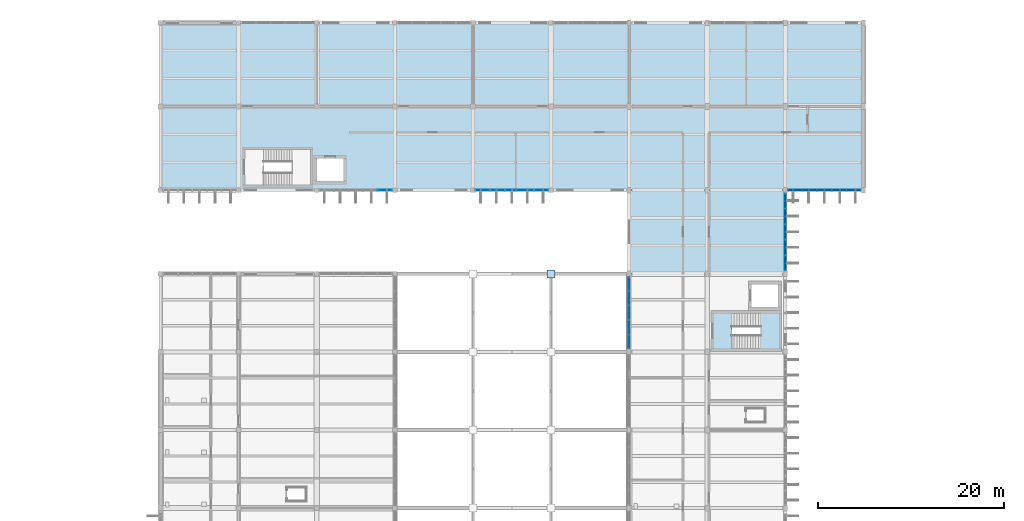
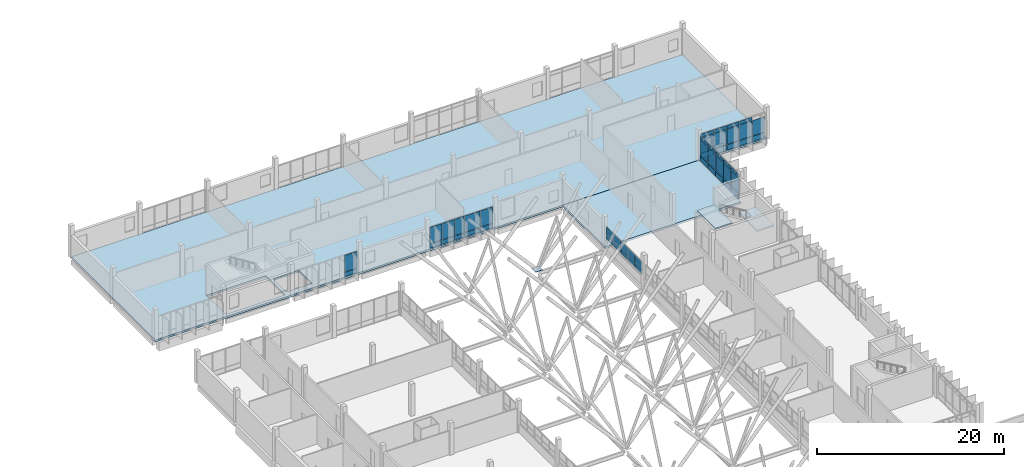
# One storey, part 78 of 107: 52 plates, 4 slabs, 2 openings, 6 elements without a shape of their own.
"""IFC4 building model written with IfcOpenShell, lengths in metres."""

import ifcopenshell
import ifcopenshell.guid

model = None  # the IFC model being written
_history = None  # IfcOwnerHistory: only IFC2X3 demands one
_inside = {}  # id of a spatial element -> (the spatial element, [elements in it])
_under = {}  # id of a project, library or spatial element -> (it, [spatial elements below it])
_declared = {}  # id of a project -> (the project, [libraries it declares])
_typed = {}  # id of a type object -> (the type object, [elements of that type])
_made_of = {}  # id of a material, layer set ... -> (it, [elements and type objects made of it])


def new_model(schema):
    """Start an empty IFC model of exactly this schema.

    Asked for "IFC4X3", IfcOpenShell would pick the latest addendum, in which some entities
    have other attributes; the version numbers below select the first issue.
    IFC2X3 requires an IfcOwnerHistory on every rooted entity: one is made here for all.
    """
    global model, _history
    if schema == "IFC4X3":
        model = ifcopenshell.file(schema_version=(4, 3, 0, 0))
    else:
        model = ifcopenshell.file(schema=schema)
    _inside.clear()
    _under.clear()
    _declared.clear()
    _typed.clear()
    _made_of.clear()
    _history = None
    if model.schema == "IFC2X3":
        org = make("IfcOrganization", Name="unknown")
        user = make(
            "IfcPersonAndOrganization",
            ThePerson=make("IfcPerson", FamilyName="unknown"),
            TheOrganization=org,
        )
        app = make(
            "IfcApplication",
            ApplicationDeveloper=org,
            Version="unknown",
            ApplicationFullName="unknown",
            ApplicationIdentifier="unknown",
        )
        _history = make(
            "IfcOwnerHistory",
            OwningUser=user,
            OwningApplication=app,
            ChangeAction="ADDED",
            CreationDate=0,
        )
    return model


def make(cls, **values):
    """One entity of the class cls with the attributes given. An attribute that is None is left unset."""
    return model.create_entity(
        cls, **{name: value for name, value in values.items() if value is not None}
    )


def rooted(cls, **values):
    """An entity with a GlobalId (a new one), such as an element, a storey or a relation."""
    return make(cls, GlobalId=ifcopenshell.guid.new(), OwnerHistory=_history, **values)


def si_unit(unit_type, name, prefix=None):
    """IfcSIUnit, for example si_unit("LENGTHUNIT", "METRE", prefix="MILLI")."""
    return make("IfcSIUnit", UnitType=unit_type, Prefix=prefix, Name=name)


def assignment(units):
    """IfcUnitAssignment: the units of a project."""
    return None if units is None else make("IfcUnitAssignment", Units=units)


def point(xyz):
    """IfcCartesianPoint."""
    return None if xyz is None else make("IfcCartesianPoint", Coordinates=xyz)


def direction(xyz):
    """IfcDirection."""
    return None if xyz is None else make("IfcDirection", DirectionRatios=xyz)


def frame(location, z_axis=None, x_axis=None):
    """IfcAxis2Placement3D, a coordinate frame: its origin and axes. An axis left out is left unset."""
    return make(
        "IfcAxis2Placement3D",
        Location=point(location),
        Axis=direction(z_axis),
        RefDirection=direction(x_axis),
    )


def frame_2d(location, x_axis=None):
    """IfcAxis2Placement2D, a coordinate frame in the plane: its origin and x axis."""
    return make(
        "IfcAxis2Placement2D", Location=point(location), RefDirection=direction(x_axis)
    )


def origin():
    """The frame at (0, 0, 0) with its axes left unset."""
    return frame((0.0, 0.0, 0.0))


def origin_2d():
    """The frame at (0, 0) in the plane with its x axis left unset."""
    return frame_2d((0.0, 0.0))


def place(relative_to, where):
    """IfcLocalPlacement: puts the frame where relative to a parent placement (None: the world)."""
    return make(
        "IfcLocalPlacement", PlacementRelTo=relative_to, RelativePlacement=where
    )


def context(
    kind, dimensions, precision=None, world=None, true_north=None, identifier=None
):
    """IfcGeometricRepresentationContext, for example the 3D "Model" context."""
    return make(
        "IfcGeometricRepresentationContext",
        ContextIdentifier=identifier,
        ContextType=kind,
        CoordinateSpaceDimension=dimensions,
        Precision=precision,
        WorldCoordinateSystem=world,
        TrueNorth=true_north,
    )


def subcontext(parent, identifier, kind, view, scale=None):
    """IfcGeometricRepresentationSubContext, for example "Body" below "Model"."""
    return make(
        "IfcGeometricRepresentationSubContext",
        ContextIdentifier=identifier,
        ContextType=kind,
        ParentContext=parent,
        TargetScale=scale,
        TargetView=view,
    )


def project(units=None, contexts=None):
    """IfcProject with its units and contexts."""
    return rooted(
        "IfcProject",
        Name="project",
        RepresentationContexts=contexts,
        UnitsInContext=assignment(units),
    )


def spatial(cls, under=None, at=None, **own):
    """A site, building, storey or space (cls), placed at a placement, below another one or the project."""
    s = rooted(cls, ObjectPlacement=at, **own)
    if under is not None:
        _under.setdefault(under.id(), (under, []))[1].append(s)
    return s


def polyline(points):
    """IfcPolyline through the points."""
    return make("IfcPolyline", Points=[point(p) for p in points])


def profile(cls, at=None, kind="AREA", **sizes):
    """A parametric profile (cls). Its sizes go by their IFC names, for example OverallWidth=200.0."""
    return make(cls, ProfileType=kind, Position=at, **sizes)


def rectangle(**sizes):
    """IfcRectangleProfileDef."""
    return profile("IfcRectangleProfileDef", **sizes)


def outline(outer, holes=None, kind="AREA"):
    """IfcArbitraryClosedProfileDef: a profile drawn as a closed curve; with holes, ...WithVoids."""
    if holes is None:
        return make("IfcArbitraryClosedProfileDef", ProfileType=kind, OuterCurve=outer)
    return make(
        "IfcArbitraryProfileDefWithVoids",
        ProfileType=kind,
        OuterCurve=outer,
        InnerCurves=holes,
    )


def extrude(swept, where, along, depth):
    """IfcExtrudedAreaSolid: the profile swept, set in the frame where, extruded along a direction by depth."""
    return make(
        "IfcExtrudedAreaSolid",
        SweptArea=swept,
        Position=where,
        ExtrudedDirection=direction(along),
        Depth=depth,
    )


def shape(context_of_items, identifier, shape_type, items):
    """IfcShapeRepresentation: the items that make up one representation, for example the "Body"."""
    return make(
        "IfcShapeRepresentation",
        ContextOfItems=context_of_items,
        RepresentationIdentifier=identifier,
        RepresentationType=shape_type,
        Items=items,
    )


def material(Name=None, Category=None):
    """IfcMaterial."""
    return make("IfcMaterial", Name=Name, Category=Category)


def layer(
    of_material, thickness, ventilated=None, Name=None, Category=None, Priority=None
):
    """IfcMaterialLayer: one layer of a wall or slab, of a material (None: an air gap)."""
    return make(
        "IfcMaterialLayer",
        Material=of_material,
        LayerThickness=thickness,
        IsVentilated=ventilated,
        Name=Name,
        Category=Category,
        Priority=Priority,
    )


def layer_set(layers, Name=None):
    """IfcMaterialLayerSet."""
    return make("IfcMaterialLayerSet", MaterialLayers=layers, LayerSetName=Name)


def made_of(thing, what):
    """Note that an element or type object is made of a material, layer set ...; save() writes the relation."""
    if what is not None:
        _made_of.setdefault(what.id(), (what, []))[1].append(thing)
    return thing


def type_object(cls, material=None, **own):
    """A type object (cls), such as IfcWallType, which elements share."""
    return made_of(rooted(cls, **own), material)


def element(
    cls,
    number,
    at=None,
    inside=None,
    cuts=None,
    type_object=None,
    material=None,
    context=None,
    identifier="Body",
    shape_type=None,
    held_by="IfcProductDefinitionShape",
    body=None,
    shapes=None,
    **own,
):
    """One element of the class cls, such as IfcWall. Its Tag is "e" and its number.

    at: its placement. inside: the storey or other place that contains it. cuts: it is an
    opening in that element (IfcRelVoidsElement). A single representation is given by context,
    identifier, shape_type and body (its items); several are given by shapes. held_by: the class
    of the entity that holds the representations. save() writes the other relations.
    """
    e = rooted(cls, Tag="e%d" % number, ObjectPlacement=at, **own)
    if body is not None:
        shapes = [shape(context, identifier, shape_type, body)]
    if shapes is not None:
        e.Representation = make(held_by, Representations=shapes)
    if inside is not None:
        _inside.setdefault(inside.id(), (inside, []))[1].append(e)
    if cuts is not None:
        rooted(
            "IfcRelVoidsElement", RelatingBuildingElement=cuts, RelatedOpeningElement=e
        )
    if type_object is not None:
        _typed.setdefault(type_object.id(), (type_object, []))[1].append(e)
    return made_of(e, material)


def aggregate(whole, parts):
    """IfcRelAggregates: a whole, such as a stair, and the parts it consists of."""
    return rooted("IfcRelAggregates", RelatingObject=whole, RelatedObjects=parts)


def save(model, path):
    """Write the relations noted so far, then the file.

    IfcRelAggregates (storeys below a building ...), IfcRelContainedInSpatialStructure (elements
    in a storey), IfcRelDefinesByType, IfcRelAssociatesMaterial and IfcRelDeclares: one each for
    every whole, place, type object, material and project.
    """
    for whole, parts in _under.values():
        aggregate(whole, parts)
    for where, things in _inside.values():
        rooted(
            "IfcRelContainedInSpatialStructure",
            RelatedElements=things,
            RelatingStructure=where,
        )
    for kind, things in _typed.values():
        rooted("IfcRelDefinesByType", RelatedObjects=things, RelatingType=kind)
    for what, things in _made_of.values():
        rooted("IfcRelAssociatesMaterial", RelatedObjects=things, RelatingMaterial=what)
    for by, libraries in _declared.values():
        rooted("IfcRelDeclares", RelatingContext=by, RelatedDefinitions=libraries)
    model.write(path)


model = new_model("IFC4")

# Units and contexts
model_context = context("Model", 3, precision=1e-05, world=origin(), true_north=direction((0.0, 1.0)))
body_context = subcontext(model_context, "Body", "Model", "MODEL_VIEW")
ifc_project = project(units=[si_unit("LENGTHUNIT", "METRE"), si_unit("AREAUNIT", "SQUARE_METRE"), si_unit("VOLUMEUNIT", "CUBIC_METRE"), si_unit("PLANEANGLEUNIT", "RADIAN"), si_unit("MASSUNIT", "GRAM", prefix="KILO")], contexts=[model_context])

# Site, building, storey
site_placement = place(None, origin())
site = spatial("IfcSite", under=ifc_project, at=site_placement, CompositionType="ELEMENT")
building_placement = place(site_placement, origin())
building = spatial("IfcBuilding", under=site, at=building_placement, Name="Vireocrest Preparatory School", CompositionType="ELEMENT")
storey_placement = place(building_placement, frame((0.0, 0.0, 13.199951171875)))
storey = spatial("IfcBuildingStorey", under=building, at=storey_placement, Name="L03", CompositionType="ELEMENT", Elevation=13.199951171875)

# Curtain wall, plates
ifc_material_1 = material(Name="Thermally broken aluminium EN AW-6063-T6", Category="aluminium")
ifc_layer_1 = layer(ifc_material_1, 0.179931640625)
ifc_layer_set_1 = layer_set([ifc_layer_1], Name="Thermally broken aluminium EN AW-6063-T6")
curtain_wall_type_1 = type_object("IfcCurtainWallType", Name="Side Facade Curtain Wall 9000x4200", PredefinedType="USERDEFINED", material=ifc_layer_set_1)
curtain_wall_1_placement = place(storey_placement, origin())
curtain_wall_1 = element("IfcCurtainWall", 1, at=curtain_wall_1_placement, inside=storey, type_object=curtain_wall_type_1, Name="Curtain Wall CW07 CW_L03_CW07_1092_0861_132", ObjectType="CURTAIN WALL", PredefinedType="USERDEFINED")
ifc_material_2 = material(Name="Insulated triple low-e tempered safety glass", Category="glass")
ifc_layer_2 = layer(ifc_material_2, 0.074951171875)
ifc_layer_set_2 = layer_set([ifc_layer_2], Name="Insulated triple low-e tempered safety glass")
plate_type_1 = type_object("IfcPlateType", Name="Acoustic Triple-Glazed Lab Curtain Panel 75", PredefinedType="CURTAIN_PANEL", material=ifc_layer_set_2)
plate_1_placement = place(storey_placement, frame((109.199951171875, 86.968017578125, 0.8828125), z_axis=(0.0, 0.0, 1.0), x_axis=(0.0, 1.0, 0.0)))
plate_1 = element("IfcPlate", 2, at=plate_1_placement, type_object=plate_type_1, Name="CW Panel GL2 CW_L03_CW07_1092_0861_132-1-2", PredefinedType="CURTAIN_PANEL", context=body_context, shape_type="SweptSolid", body=[
    extrude(rectangle(XDim=1.60107421875, YDim=0.074951171875, at=origin_2d()), origin(), (0.0, 0.0, 1.0), 2.014892578125),
])
plate_2_placement = place(storey_placement, frame((109.199951171875, 86.968017578125, 2.96240234375), z_axis=(0.0, 0.0, 1.0), x_axis=(0.0, 1.0, 0.0)))
plate_2 = element("IfcPlate", 3, at=plate_2_placement, type_object=plate_type_1, Name="CW Panel GL2 CW_L03_CW07_1092_0861_132-1-3", PredefinedType="CURTAIN_PANEL", context=body_context, shape_type="SweptSolid", body=[
    extrude(rectangle(XDim=1.60107421875, YDim=0.074951171875, at=origin_2d()), origin(), (0.0, 0.0, 1.0), 0.409912109375),
])
plate_3_placement = place(storey_placement, frame((109.199951171875, 88.634033203125, 0.8828125), z_axis=(0.0, 0.0, 1.0), x_axis=(0.0, 1.0, 0.0)))
plate_3 = element("IfcPlate", 4, at=plate_3_placement, type_object=plate_type_1, Name="CW Panel GL2 CW_L03_CW07_1092_0861_132-2-2", PredefinedType="CURTAIN_PANEL", context=body_context, shape_type="SweptSolid", body=[
    extrude(rectangle(XDim=1.60107421875, YDim=0.074951171875, at=origin_2d()), origin(), (0.0, 0.0, 1.0), 2.014892578125),
])
plate_4_placement = place(storey_placement, frame((109.199951171875, 88.634033203125, 2.96240234375), z_axis=(0.0, 0.0, 1.0), x_axis=(0.0, 1.0, 0.0)))
plate_4 = element("IfcPlate", 5, at=plate_4_placement, type_object=plate_type_1, Name="CW Panel GL2 CW_L03_CW07_1092_0861_132-2-3", PredefinedType="CURTAIN_PANEL", context=body_context, shape_type="SweptSolid", body=[
    extrude(rectangle(XDim=1.60107421875, YDim=0.074951171875, at=origin_2d()), origin(), (0.0, 0.0, 1.0), 0.409912109375),
])
plate_5_placement = place(storey_placement, frame((109.199951171875, 90.300048828125, 0.8828125), z_axis=(0.0, 0.0, 1.0), x_axis=(0.0, 1.0, 0.0)))
plate_5 = element("IfcPlate", 6, at=plate_5_placement, type_object=plate_type_1, Name="CW Panel GL2 CW_L03_CW07_1092_0861_132-3-2", PredefinedType="CURTAIN_PANEL", context=body_context, shape_type="SweptSolid", body=[
    extrude(rectangle(XDim=1.60107421875, YDim=0.074951171875, at=origin_2d()), origin(), (0.0, 0.0, 1.0), 2.014892578125),
])
plate_6_placement = place(storey_placement, frame((109.199951171875, 90.300048828125, 2.96240234375), z_axis=(0.0, 0.0, 1.0), x_axis=(0.0, 1.0, 0.0)))
plate_6 = element("IfcPlate", 7, at=plate_6_placement, type_object=plate_type_1, Name="CW Panel GL2 CW_L03_CW07_1092_0861_132-3-3", PredefinedType="CURTAIN_PANEL", context=body_context, shape_type="SweptSolid", body=[
    extrude(rectangle(XDim=1.60107421875, YDim=0.074951171875, at=origin_2d()), origin(), (0.0, 0.0, 1.0), 0.409912109375),
])
plate_7_placement = place(storey_placement, frame((109.199951171875, 91.966064453125, 0.8828125), z_axis=(0.0, 0.0, 1.0), x_axis=(0.0, 1.0, 0.0)))
plate_7 = element("IfcPlate", 8, at=plate_7_placement, type_object=plate_type_1, Name="CW Panel GL2 CW_L03_CW07_1092_0861_132-4-2", PredefinedType="CURTAIN_PANEL", context=body_context, shape_type="SweptSolid", body=[
    extrude(rectangle(XDim=1.60107421875, YDim=0.074951171875, at=origin_2d()), origin(), (0.0, 0.0, 1.0), 2.014892578125),
])
plate_8_placement = place(storey_placement, frame((109.199951171875, 91.966064453125, 2.96240234375), z_axis=(0.0, 0.0, 1.0), x_axis=(0.0, 1.0, 0.0)))
plate_8 = element("IfcPlate", 9, at=plate_8_placement, type_object=plate_type_1, Name="CW Panel GL2 CW_L03_CW07_1092_0861_132-4-3", PredefinedType="CURTAIN_PANEL", context=body_context, shape_type="SweptSolid", body=[
    extrude(rectangle(XDim=1.60107421875, YDim=0.074951171875, at=origin_2d()), origin(), (0.0, 0.0, 1.0), 0.409912109375),
])
plate_9_placement = place(storey_placement, frame((109.199951171875, 93.632080078125, 0.8828125), z_axis=(0.0, 0.0, 1.0), x_axis=(0.0, 1.0, 0.0)))
plate_9 = element("IfcPlate", 10, at=plate_9_placement, type_object=plate_type_1, Name="CW Panel GL2 CW_L03_CW07_1092_0861_132-5-2", PredefinedType="CURTAIN_PANEL", context=body_context, shape_type="SweptSolid", body=[
    extrude(rectangle(XDim=1.60107421875, YDim=0.074951171875, at=origin_2d()), origin(), (0.0, 0.0, 1.0), 2.014892578125),
])
plate_10_placement = place(storey_placement, frame((109.199951171875, 93.632080078125, 2.96240234375), z_axis=(0.0, 0.0, 1.0), x_axis=(0.0, 1.0, 0.0)))
plate_10 = element("IfcPlate", 11, at=plate_10_placement, type_object=plate_type_1, Name="CW Panel GL2 CW_L03_CW07_1092_0861_132-5-3", PredefinedType="CURTAIN_PANEL", context=body_context, shape_type="SweptSolid", body=[
    extrude(rectangle(XDim=1.60107421875, YDim=0.074951171875, at=origin_2d()), origin(), (0.0, 0.0, 1.0), 0.409912109375),
])

ifc_layer_3 = layer(ifc_material_1, 0.179931640625)
ifc_layer_set_3 = layer_set([ifc_layer_3], Name="Thermally broken aluminium EN AW-6063-T6")
curtain_wall_type_2 = type_object("IfcCurtainWallType", Name="Stair Core Daylit Strip 4200x4200", PredefinedType="USERDEFINED", material=ifc_layer_set_3)
curtain_wall_2_placement = place(storey_placement, origin())
curtain_wall_2 = element("IfcCurtainWall", 12, at=curtain_wall_2_placement, inside=storey, type_object=curtain_wall_type_2, Name="Curtain Wall CW18 CW_L03_CW18_1094_0948_132", ObjectType="CURTAIN WALL", PredefinedType="USERDEFINED")
plate_11_placement = place(storey_placement, frame((110.248046875, 94.800048828125, 0.88232421875), z_axis=(0.0, 0.0, 1.0), x_axis=(1.0, 0.0, 0.0)))
plate_11 = element("IfcPlate", 13, at=plate_11_placement, type_object=plate_type_1, Name="CW Panel GL2 CW_L03_CW18_1094_0948_132-1-2", PredefinedType="CURTAIN_PANEL", context=body_context, shape_type="SweptSolid", body=[
    extrude(rectangle(XDim=1.510986328125, YDim=0.074951171875, at=origin_2d()), origin(), (0.0, 0.0, 1.0), 1.965087890625),
])
plate_12_placement = place(storey_placement, frame((110.248046875, 94.800048828125, 2.91259765625), z_axis=(0.0, 0.0, 1.0), x_axis=(1.0, 0.0, 0.0)))
plate_12 = element("IfcPlate", 14, at=plate_12_placement, type_object=plate_type_1, Name="CW Panel GL2 CW_L03_CW18_1094_0948_132-1-3", PredefinedType="CURTAIN_PANEL", context=body_context, shape_type="SweptSolid", body=[
    extrude(rectangle(XDim=1.510986328125, YDim=0.074951171875, at=origin_2d()), origin(), (0.0, 0.0, 1.0), 0.409912109375),
])
plate_13_placement = place(storey_placement, frame((111.823974609375, 94.800048828125, 0.88232421875), z_axis=(0.0, 0.0, 1.0), x_axis=(1.0, 0.0, 0.0)))
plate_13 = element("IfcPlate", 15, at=plate_13_placement, type_object=plate_type_1, Name="CW Panel GL2 CW_L03_CW18_1094_0948_132-2-2", PredefinedType="CURTAIN_PANEL", context=body_context, shape_type="SweptSolid", body=[
    extrude(rectangle(XDim=1.510986328125, YDim=0.074951171875, at=origin_2d()), origin(), (0.0, 0.0, 1.0), 1.965087890625),
])
plate_14_placement = place(storey_placement, frame((111.823974609375, 94.800048828125, 2.91259765625), z_axis=(0.0, 0.0, 1.0), x_axis=(1.0, 0.0, 0.0)))
plate_14 = element("IfcPlate", 16, at=plate_14_placement, type_object=plate_type_1, Name="CW Panel GL2 CW_L03_CW18_1094_0948_132-2-3", PredefinedType="CURTAIN_PANEL", context=body_context, shape_type="SweptSolid", body=[
    extrude(rectangle(XDim=1.510986328125, YDim=0.074951171875, at=origin_2d()), origin(), (0.0, 0.0, 1.0), 0.409912109375),
])
plate_15_placement = place(storey_placement, frame((113.39990234375, 94.800048828125, 0.88232421875), z_axis=(0.0, 0.0, 1.0), x_axis=(1.0, 0.0, 0.0)))
plate_15 = element("IfcPlate", 17, at=plate_15_placement, type_object=plate_type_1, Name="CW Panel GL2 CW_L03_CW18_1094_0948_132-3-2", PredefinedType="CURTAIN_PANEL", context=body_context, shape_type="SweptSolid", body=[
    extrude(rectangle(XDim=1.510986328125, YDim=0.074951171875, at=origin_2d()), origin(), (0.0, 0.0, 1.0), 1.965087890625),
])
plate_16_placement = place(storey_placement, frame((113.39990234375, 94.800048828125, 2.91259765625), z_axis=(0.0, 0.0, 1.0), x_axis=(1.0, 0.0, 0.0)))
plate_16 = element("IfcPlate", 18, at=plate_16_placement, type_object=plate_type_1, Name="CW Panel GL2 CW_L03_CW18_1094_0948_132-3-3", PredefinedType="CURTAIN_PANEL", context=body_context, shape_type="SweptSolid", body=[
    extrude(rectangle(XDim=1.510986328125, YDim=0.074951171875, at=origin_2d()), origin(), (0.0, 0.0, 1.0), 0.409912109375),
])
plate_17_placement = place(storey_placement, frame((114.97607421875, 94.800048828125, 0.88232421875), z_axis=(0.0, 0.0, 1.0), x_axis=(1.0, 0.0, 0.0)))
plate_17 = element("IfcPlate", 19, at=plate_17_placement, type_object=plate_type_1, Name="CW Panel GL2 CW_L03_CW18_1094_0948_132-4-2", PredefinedType="CURTAIN_PANEL", context=body_context, shape_type="SweptSolid", body=[
    extrude(rectangle(XDim=1.510986328125, YDim=0.074951171875, at=origin_2d()), origin(), (0.0, 0.0, 1.0), 1.965087890625),
])
plate_18_placement = place(storey_placement, frame((114.97607421875, 94.800048828125, 2.91259765625), z_axis=(0.0, 0.0, 1.0), x_axis=(1.0, 0.0, 0.0)))
plate_18 = element("IfcPlate", 20, at=plate_18_placement, type_object=plate_type_1, Name="CW Panel GL2 CW_L03_CW18_1094_0948_132-4-3", PredefinedType="CURTAIN_PANEL", context=body_context, shape_type="SweptSolid", body=[
    extrude(rectangle(XDim=1.510986328125, YDim=0.074951171875, at=origin_2d()), origin(), (0.0, 0.0, 1.0), 0.409912109375),
])
plate_19_placement = place(storey_placement, frame((116.552001953125, 94.800048828125, 0.88232421875), z_axis=(0.0, 0.0, 1.0), x_axis=(1.0, 0.0, 0.0)))
plate_19 = element("IfcPlate", 21, at=plate_19_placement, type_object=plate_type_1, Name="CW Panel GL2 CW_L03_CW18_1094_0948_132-5-2", PredefinedType="CURTAIN_PANEL", context=body_context, shape_type="SweptSolid", body=[
    extrude(rectangle(XDim=1.510986328125, YDim=0.074951171875, at=origin_2d()), origin(), (0.0, 0.0, 1.0), 1.965087890625),
])

ifc_layer_4 = layer(ifc_material_1, 0.179931640625)
ifc_layer_set_4 = layer_set([ifc_layer_4], Name="Thermally broken aluminium EN AW-6063-T6")
curtain_wall_type_3 = type_object("IfcCurtainWallType", Name="Library Reading Bay Glazing 7600x4200", PredefinedType="USERDEFINED", material=ifc_layer_set_4)
curtain_wall_3_placement = place(storey_placement, origin())
curtain_wall_3 = element("IfcCurtainWall", 22, at=curtain_wall_3_placement, inside=storey, type_object=curtain_wall_type_3, Name="Curtain Wall CW16 CW_L03_CW16_0590_0948_132", ObjectType="CURTAIN WALL", PredefinedType="USERDEFINED")
plate_20_placement = place(storey_placement, frame((66.132080078125, 94.800048828125, 0.12744140625), z_axis=(0.0, 0.0, 1.0), x_axis=(1.0, 0.0, 0.0)))
plate_20 = element("IfcPlate", 23, at=plate_20_placement, type_object=plate_type_1, Name="CW Panel GL2 CW_L03_CW16_0590_0948_132-5-1", PredefinedType="CURTAIN_PANEL", context=body_context, shape_type="SweptSolid", body=[
    extrude(rectangle(XDim=1.5009765625, YDim=0.074951171875, at=origin_2d()), origin(), (0.0, 0.0, 1.0), 0.5400390625),
])
plate_21_placement = place(storey_placement, frame((66.132080078125, 94.800048828125, 0.732666015625), z_axis=(0.0, 0.0, 1.0), x_axis=(1.0, 0.0, 0.0)))
plate_21 = element("IfcPlate", 24, at=plate_21_placement, type_object=plate_type_1, Name="CW Panel GL2 CW_L03_CW16_0590_0948_132-5-2", PredefinedType="CURTAIN_PANEL", context=body_context, shape_type="SweptSolid", body=[
    extrude(rectangle(XDim=1.5009765625, YDim=0.074951171875, at=origin_2d()), origin(), (0.0, 0.0, 1.0), 2.169921875),
])
aggregate(curtain_wall_3, [plate_20, plate_21])

ifc_layer_5 = layer(ifc_material_1, 0.179931640625)
ifc_layer_set_5 = layer_set([ifc_layer_5], Name="Thermally broken aluminium EN AW-6063-T6")
curtain_wall_type_4 = type_object("IfcCurtainWallType", Name="Setback Terrace Glazing 7600x3200", PredefinedType="USERDEFINED", material=ifc_layer_set_5)
curtain_wall_4_placement = place(storey_placement, origin())
curtain_wall_4 = element("IfcCurtainWall", 25, at=curtain_wall_4_placement, inside=storey, type_object=curtain_wall_type_4, Name="Curtain Wall CW17 CW_L03_CW17_0758_0948_132", ObjectType="CURTAIN WALL", PredefinedType="USERDEFINED")
plate_22_placement = place(storey_placement, frame((76.66796875, 94.800048828125, 0.12744140625), z_axis=(0.0, 0.0, 1.0), x_axis=(1.0, 0.0, 0.0)))
plate_22 = element("IfcPlate", 26, at=plate_22_placement, type_object=plate_type_1, Name="CW Panel GL2 CW_L03_CW17_0758_0948_132-1-1", PredefinedType="CURTAIN_PANEL", context=body_context, shape_type="SweptSolid", body=[
    extrude(rectangle(XDim=1.5009765625, YDim=0.074951171875, at=origin_2d()), origin(), (0.0, 0.0, 1.0), 0.5400390625),
])
plate_23_placement = place(storey_placement, frame((76.66796875, 94.800048828125, 0.732421875), z_axis=(0.0, 0.0, 1.0), x_axis=(1.0, 0.0, 0.0)))
plate_23 = element("IfcPlate", 27, at=plate_23_placement, type_object=plate_type_1, Name="CW Panel GL2 CW_L03_CW17_0758_0948_132-1-2", PredefinedType="CURTAIN_PANEL", context=body_context, shape_type="SweptSolid", body=[
    extrude(rectangle(XDim=1.5009765625, YDim=0.074951171875, at=origin_2d()), origin(), (0.0, 0.0, 1.0), 2.1201171875),
])
plate_24_placement = place(storey_placement, frame((78.23388671875, 94.800048828125, 0.12744140625), z_axis=(0.0, 0.0, 1.0), x_axis=(1.0, 0.0, 0.0)))
plate_24 = element("IfcPlate", 28, at=plate_24_placement, type_object=plate_type_1, Name="CW Panel GL2 CW_L03_CW17_0758_0948_132-2-1", PredefinedType="CURTAIN_PANEL", context=body_context, shape_type="SweptSolid", body=[
    extrude(rectangle(XDim=1.5009765625, YDim=0.074951171875, at=origin_2d()), origin(), (0.0, 0.0, 1.0), 0.5400390625),
])
plate_25_placement = place(storey_placement, frame((78.23388671875, 94.800048828125, 0.732421875), z_axis=(0.0, 0.0, 1.0), x_axis=(1.0, 0.0, 0.0)))
plate_25 = element("IfcPlate", 29, at=plate_25_placement, type_object=plate_type_1, Name="CW Panel GL2 CW_L03_CW17_0758_0948_132-2-2", PredefinedType="CURTAIN_PANEL", context=body_context, shape_type="SweptSolid", body=[
    extrude(rectangle(XDim=1.5009765625, YDim=0.074951171875, at=origin_2d()), origin(), (0.0, 0.0, 1.0), 2.1201171875),
])
plate_26_placement = place(storey_placement, frame((79.6083984375, 94.800048828125, 0.12744140625), z_axis=(0.0, 0.0, 1.0), x_axis=(1.0, 0.0, 0.0)))
plate_26 = element("IfcPlate", 30, at=plate_26_placement, type_object=plate_type_1, Name="CW Panel GL2 CW_L03_CW17_0758_0948_132-3-1", PredefinedType="CURTAIN_PANEL", context=body_context, shape_type="SweptSolid", body=[
    extrude(rectangle(XDim=1.117919921875, YDim=0.074951171875, at=origin_2d()), origin(), (0.0, 0.0, 1.0), 0.5400390625),
])
plate_27_placement = place(storey_placement, frame((79.6083984375, 94.800048828125, 0.732421875), z_axis=(0.0, 0.0, 1.0), x_axis=(1.0, 0.0, 0.0)))
plate_27 = element("IfcPlate", 31, at=plate_27_placement, type_object=plate_type_1, Name="CW Panel GL2 CW_L03_CW17_0758_0948_132-3-2", PredefinedType="CURTAIN_PANEL", context=body_context, shape_type="SweptSolid", body=[
    extrude(rectangle(XDim=1.117919921875, YDim=0.074951171875, at=origin_2d()), origin(), (0.0, 0.0, 1.0), 2.1201171875),
])
plate_28_placement = place(storey_placement, frame((81.174560546875, 94.800048828125, 0.12744140625), z_axis=(0.0, 0.0, 1.0), x_axis=(1.0, 0.0, 0.0)))
plate_28 = element("IfcPlate", 32, at=plate_28_placement, type_object=plate_type_1, Name="CW Panel GL2 CW_L03_CW17_0758_0948_132-4-1", PredefinedType="CURTAIN_PANEL", context=body_context, shape_type="SweptSolid", body=[
    extrude(rectangle(XDim=1.884033203125, YDim=0.074951171875, at=origin_2d()), origin(), (0.0, 0.0, 1.0), 0.5400390625),
])
plate_29_placement = place(storey_placement, frame((81.174560546875, 94.800048828125, 0.732421875), z_axis=(0.0, 0.0, 1.0), x_axis=(1.0, 0.0, 0.0)))
plate_29 = element("IfcPlate", 33, at=plate_29_placement, type_object=plate_type_1, Name="CW Panel GL2 CW_L03_CW17_0758_0948_132-4-2", PredefinedType="CURTAIN_PANEL", context=body_context, shape_type="SweptSolid", body=[
    extrude(rectangle(XDim=1.884033203125, YDim=0.074951171875, at=origin_2d()), origin(), (0.0, 0.0, 1.0), 2.1201171875),
])
plate_30_placement = place(storey_placement, frame((82.931884765625, 94.800048828125, 0.12744140625), z_axis=(0.0, 0.0, 1.0), x_axis=(1.0, 0.0, 0.0)))
plate_30 = element("IfcPlate", 34, at=plate_30_placement, type_object=plate_type_1, Name="CW Panel GL2 CW_L03_CW17_0758_0948_132-5-1", PredefinedType="CURTAIN_PANEL", context=body_context, shape_type="SweptSolid", body=[
    extrude(rectangle(XDim=1.5009765625, YDim=0.074951171875, at=origin_2d()), origin(), (0.0, 0.0, 1.0), 0.5400390625),
])
plate_31_placement = place(storey_placement, frame((82.931884765625, 94.800048828125, 0.732421875), z_axis=(0.0, 0.0, 1.0), x_axis=(1.0, 0.0, 0.0)))
plate_31 = element("IfcPlate", 35, at=plate_31_placement, type_object=plate_type_1, Name="CW Panel GL2 CW_L03_CW17_0758_0948_132-5-2", PredefinedType="CURTAIN_PANEL", context=body_context, shape_type="SweptSolid", body=[
    extrude(rectangle(XDim=1.5009765625, YDim=0.074951171875, at=origin_2d()), origin(), (0.0, 0.0, 1.0), 2.1201171875),
])
aggregate(curtain_wall_4, [plate_22, plate_23, plate_24, plate_25, plate_26, plate_27, plate_28, plate_29, plate_30, plate_31])

# Slab, openings
ifc_material_3 = material(Name="Concrete 40 MPa", Category="concrete")
ifc_layer_6 = layer(ifc_material_3, 0.239990234375)
ifc_layer_set_6 = layer_set([ifc_layer_6], Name="Concrete 40 MPa")
slab_type_1 = type_object("IfcSlabType", Name="Classroom Suspended RC Floor Slab 240", PredefinedType="FLOOR", material=ifc_layer_set_6)
slab_1_placement = place(storey_placement, frame((0.0, 0.0, -0.239990234375)))
slab_1 = element("IfcSlab", 36, at=slab_1_placement, inside=storey, type_object=slab_type_1, Name="Slab L03_NORTH_BAR", PredefinedType="FLOOR", context=body_context, shape_type="SweptSolid", body=[
    extrude(outline(polyline([(42.0, 94.800048828125), (117.60009765625, 94.800048828125), (117.60009765625, 112.800048828125), (42.0, 112.800048828125), (42.0, 94.800048828125)])), origin(), (0.0, 0.0, 1.0), 0.239990234375),
])
opening_1_placement = place(slab_1_placement, frame((0.0, 0.0, -0.010009765625)))
element("IfcOpeningElement", 37, at=opening_1_placement, cuts=slab_1, Name="Slab Opening SLAB_L03_NORTH_BAR-1", PredefinedType="OPENING", context=body_context, shape_type="SweptSolid", body=[
    extrude(outline(polyline([(50.949951171875, 95.199951171875), (58.25, 95.199951171875), (58.25, 99.300048828125), (50.949951171875, 99.300048828125), (50.949951171875, 95.199951171875)])), origin(), (0.0, 0.0, 1.0), 0.260009765625),
])
opening_2_placement = place(slab_1_placement, frame((0.0, 0.0, -0.010009765625)))
element("IfcOpeningElement", 38, at=opening_2_placement, cuts=slab_1, Name="Slab Opening SLAB_L03_NORTH_BAR-2", PredefinedType="OPENING", context=body_context, shape_type="SweptSolid", body=[
    extrude(outline(polyline([(58.64990234375, 95.60009765625), (61.85009765625, 95.60009765625), (61.85009765625, 98.39990234375), (58.64990234375, 98.39990234375), (58.64990234375, 95.60009765625)])), origin(), (0.0, 0.0, 1.0), 0.260009765625),
])

# Plate
ifc_material_4 = material(Name="Painted white aluminium cladding EN AW-6063-T6", Category="aluminium")
ifc_layer_7 = layer(ifc_material_4, 0.114990234375)
ifc_layer_set_7 = layer_set([ifc_layer_7], Name="Painted white aluminium cladding EN AW-6063-T6")
plate_type_2 = type_object("IfcPlateType", Name="Insulated White Spandrel Curtain Panel 115", PredefinedType="CURTAIN_PANEL", material=ifc_layer_set_7)
plate_32_placement = place(storey_placement, frame((109.199951171875, 86.968017578125, 0.127685546875), z_axis=(0.0, 0.0, 1.0), x_axis=(0.0, 1.0, 0.0)))
plate_32 = element("IfcPlate", 39, at=plate_32_placement, type_object=plate_type_2, Name="CW Panel SP2 CW_L03_CW07_1092_0861_132-1-1", PredefinedType="CURTAIN_PANEL", context=body_context, shape_type="SweptSolid", body=[
    extrude(rectangle(XDim=1.60107421875, YDim=0.114990234375, at=origin_2d()), origin(), (0.0, 0.0, 1.0), 0.68994140625),
])

plate_33_placement = place(storey_placement, frame((109.199951171875, 88.634033203125, 0.127685546875), z_axis=(0.0, 0.0, 1.0), x_axis=(0.0, 1.0, 0.0)))
plate_33 = element("IfcPlate", 40, at=plate_33_placement, type_object=plate_type_2, Name="CW Panel SP2 CW_L03_CW07_1092_0861_132-2-1", PredefinedType="CURTAIN_PANEL", context=body_context, shape_type="SweptSolid", body=[
    extrude(rectangle(XDim=1.60107421875, YDim=0.114990234375, at=origin_2d()), origin(), (0.0, 0.0, 1.0), 0.68994140625),
])

plate_34_placement = place(storey_placement, frame((109.199951171875, 90.300048828125, 0.127685546875), z_axis=(0.0, 0.0, 1.0), x_axis=(0.0, 1.0, 0.0)))
plate_34 = element("IfcPlate", 41, at=plate_34_placement, type_object=plate_type_2, Name="CW Panel SP2 CW_L03_CW07_1092_0861_132-3-1", PredefinedType="CURTAIN_PANEL", context=body_context, shape_type="SweptSolid", body=[
    extrude(rectangle(XDim=1.60107421875, YDim=0.114990234375, at=origin_2d()), origin(), (0.0, 0.0, 1.0), 0.68994140625),
])

plate_35_placement = place(storey_placement, frame((109.199951171875, 91.966064453125, 0.127685546875), z_axis=(0.0, 0.0, 1.0), x_axis=(0.0, 1.0, 0.0)))
plate_35 = element("IfcPlate", 42, at=plate_35_placement, type_object=plate_type_2, Name="CW Panel SP2 CW_L03_CW07_1092_0861_132-4-1", PredefinedType="CURTAIN_PANEL", context=body_context, shape_type="SweptSolid", body=[
    extrude(rectangle(XDim=1.60107421875, YDim=0.114990234375, at=origin_2d()), origin(), (0.0, 0.0, 1.0), 0.68994140625),
])

plate_36_placement = place(storey_placement, frame((109.199951171875, 93.632080078125, 0.127685546875), z_axis=(0.0, 0.0, 1.0), x_axis=(0.0, 1.0, 0.0)))
plate_36 = element("IfcPlate", 43, at=plate_36_placement, type_object=plate_type_2, Name="CW Panel SP2 CW_L03_CW07_1092_0861_132-5-1", PredefinedType="CURTAIN_PANEL", context=body_context, shape_type="SweptSolid", body=[
    extrude(rectangle(XDim=1.60107421875, YDim=0.114990234375, at=origin_2d()), origin(), (0.0, 0.0, 1.0), 0.68994140625),
])

aggregate(curtain_wall_1, [plate_32, plate_1, plate_2, plate_33, plate_3, plate_4, plate_34, plate_5, plate_6, plate_35, plate_7, plate_8, plate_36, plate_9, plate_10])

plate_37_placement = place(storey_placement, frame((110.248046875, 94.800048828125, 0.127685546875), z_axis=(0.0, 0.0, 1.0), x_axis=(1.0, 0.0, 0.0)))
plate_37 = element("IfcPlate", 44, at=plate_37_placement, type_object=plate_type_2, Name="CW Panel SP2 CW_L03_CW18_1094_0948_132-1-1", PredefinedType="CURTAIN_PANEL", context=body_context, shape_type="SweptSolid", body=[
    extrude(rectangle(XDim=1.510986328125, YDim=0.114990234375, at=origin_2d()), origin(), (0.0, 0.0, 1.0), 0.68994140625),
])

plate_38_placement = place(storey_placement, frame((111.823974609375, 94.800048828125, 0.127685546875), z_axis=(0.0, 0.0, 1.0), x_axis=(1.0, 0.0, 0.0)))
plate_38 = element("IfcPlate", 45, at=plate_38_placement, type_object=plate_type_2, Name="CW Panel SP2 CW_L03_CW18_1094_0948_132-2-1", PredefinedType="CURTAIN_PANEL", context=body_context, shape_type="SweptSolid", body=[
    extrude(rectangle(XDim=1.510986328125, YDim=0.114990234375, at=origin_2d()), origin(), (0.0, 0.0, 1.0), 0.68994140625),
])

plate_39_placement = place(storey_placement, frame((113.39990234375, 94.800048828125, 0.127685546875), z_axis=(0.0, 0.0, 1.0), x_axis=(1.0, 0.0, 0.0)))
plate_39 = element("IfcPlate", 46, at=plate_39_placement, type_object=plate_type_2, Name="CW Panel SP2 CW_L03_CW18_1094_0948_132-3-1", PredefinedType="CURTAIN_PANEL", context=body_context, shape_type="SweptSolid", body=[
    extrude(rectangle(XDim=1.510986328125, YDim=0.114990234375, at=origin_2d()), origin(), (0.0, 0.0, 1.0), 0.68994140625),
])

plate_40_placement = place(storey_placement, frame((114.97607421875, 94.800048828125, 0.127685546875), z_axis=(0.0, 0.0, 1.0), x_axis=(1.0, 0.0, 0.0)))
plate_40 = element("IfcPlate", 47, at=plate_40_placement, type_object=plate_type_2, Name="CW Panel SP2 CW_L03_CW18_1094_0948_132-4-1", PredefinedType="CURTAIN_PANEL", context=body_context, shape_type="SweptSolid", body=[
    extrude(rectangle(XDim=1.510986328125, YDim=0.114990234375, at=origin_2d()), origin(), (0.0, 0.0, 1.0), 0.68994140625),
])

plate_41_placement = place(storey_placement, frame((116.552001953125, 94.800048828125, 0.127685546875), z_axis=(0.0, 0.0, 1.0), x_axis=(1.0, 0.0, 0.0)))
plate_41 = element("IfcPlate", 48, at=plate_41_placement, type_object=plate_type_2, Name="CW Panel SP2 CW_L03_CW18_1094_0948_132-5-1", PredefinedType="CURTAIN_PANEL", context=body_context, shape_type="SweptSolid", body=[
    extrude(rectangle(XDim=1.510986328125, YDim=0.114990234375, at=origin_2d()), origin(), (0.0, 0.0, 1.0), 0.68994140625),
])

aggregate(curtain_wall_2, [plate_37, plate_11, plate_12, plate_38, plate_13, plate_14, plate_39, plate_15, plate_16, plate_40, plate_17, plate_18, plate_41, plate_19])

# Stair, slabs
stair_type = type_object("IfcStairType", Name="Two-Run Exit Stair 4200 Rise 1500 Wide", PredefinedType="HALF_TURN_STAIR", material=ifc_material_3)
stair_placement = place(storey_placement, origin())
stair = element("IfcStair", 49, at=stair_placement, inside=storey, type_object=stair_type, Name="Two-Run Stair ST4-L03", PredefinedType="HALF_TURN_STAIR")
ifc_layer_8 = layer(ifc_material_3, 0.179931640625)
ifc_layer_set_8 = layer_set([ifc_layer_8], Name="Concrete 40 MPa")
slab_type_2 = type_object("IfcSlabType", Name="Precast Concrete Stair Landing Slab 180", PredefinedType="LANDING", material=ifc_layer_set_8)
slab_2_placement = place(storey_placement, frame((0.0, 0.0, 1.920166015625)))
slab_2 = element("IfcSlab", 50, at=slab_2_placement, type_object=slab_type_2, Name="Stair Half-Landing ST4-L03", PredefinedType="LANDING", context=body_context, shape_type="SweptSolid", body=[
    extrude(outline(polyline([(106.534912109375, 77.7099609375), (108.64501953125, 77.7099609375), (108.64501953125, 81.590087890625), (106.534912109375, 81.590087890625), (106.534912109375, 77.7099609375)])), origin(), (0.0, 0.0, 1.0), 0.179931640625),
])
slab_3_placement = place(storey_placement, frame((0.0, 0.0, 4.02001953125)))
slab_3 = element("IfcSlab", 51, at=slab_3_placement, type_object=slab_type_2, Name="Stair Arrival Landing ST4-L03", PredefinedType="LANDING", context=body_context, shape_type="SweptSolid", body=[
    extrude(outline(polyline([(101.35498046875, 77.7099609375), (103.465087890625, 77.7099609375), (103.465087890625, 81.590087890625), (101.35498046875, 81.590087890625), (101.35498046875, 77.7099609375)])), origin(), (0.0, 0.0, 1.0), 0.179931640625),
])
aggregate(stair, [slab_2, slab_3])

# Slab
ifc_layer_9 = layer(ifc_material_3, 0.260009765625)
ifc_layer_set_9 = layer_set([ifc_layer_9], Name="Concrete 40 MPa")
slab_type_3 = type_object("IfcSlabType", Name="Science Laboratory Low-Vibration RC Slab 260", PredefinedType="FLOOR", material=ifc_layer_set_9)
slab_4_placement = place(storey_placement, frame((0.0, 0.0, -0.260009765625)))
element("IfcSlab", 52, at=slab_4_placement, inside=storey, type_object=slab_type_3, Name="Slab L03_EAST_NORTH_LINK", PredefinedType="FLOOR", context=body_context, shape_type="SweptSolid", body=[
    extrude(outline(polyline([(92.39990234375, 85.800048828125), (109.199951171875, 85.800048828125), (109.199951171875, 94.800048828125), (92.39990234375, 94.800048828125), (92.39990234375, 85.800048828125)])), origin(), (0.0, 0.0, 1.0), 0.260009765625),
])

# Curtain wall, plates
ifc_layer_10 = layer(ifc_material_1, 0.179931640625)
ifc_layer_set_10 = layer_set([ifc_layer_10], Name="Thermally broken aluminium EN AW-6063-T6")
curtain_wall_type_5 = type_object("IfcCurtainWallType", Name="Court Banded Curtain Wall 8400x3000", PredefinedType="USERDEFINED", material=ifc_layer_set_10)
curtain_wall_5_placement = place(storey_placement, origin())
curtain_wall_5 = element("IfcCurtainWall", 53, at=curtain_wall_5_placement, inside=storey, type_object=curtain_wall_type_5, Name="Curtain Wall CW02 CW_L03_CW02_0924_0777_144", ObjectType="CURTAIN WALL", PredefinedType="USERDEFINED")
ifc_layer_11 = layer(ifc_material_2, 0.06005859375)
ifc_layer_set_11 = layer_set([ifc_layer_11], Name="Insulated triple low-e tempered safety glass")
plate_type_3 = type_object("IfcPlateType", Name="Triple-Glazed Vision Curtain Panel 60", PredefinedType="CURTAIN_PANEL", material=ifc_layer_set_11)
plate_42_placement = place(storey_placement, frame((92.39990234375, 78.508056640625, 1.277587890625), z_axis=(0.0, 0.0, 1.0), x_axis=(0.0, 1.0, 0.0)))
plate_42 = element("IfcPlate", 54, at=plate_42_placement, type_object=plate_type_3, Name="CW Panel GL1 CW_L03_CW02_0924_0777_144-1-1", PredefinedType="CURTAIN_PANEL", context=body_context, shape_type="SweptSolid", body=[
    extrude(rectangle(XDim=1.48095703125, YDim=0.06005859375, at=origin_2d()), origin(), (0.0, 0.0, 1.0), 0.5400390625),
])
plate_43_placement = place(storey_placement, frame((92.39990234375, 78.508056640625, 1.8828125), z_axis=(0.0, 0.0, 1.0), x_axis=(0.0, 1.0, 0.0)))
plate_43 = element("IfcPlate", 55, at=plate_43_placement, type_object=plate_type_3, Name="CW Panel GL1 CW_L03_CW02_0924_0777_144-1-2", PredefinedType="CURTAIN_PANEL", context=body_context, shape_type="SweptSolid", body=[
    extrude(rectangle(XDim=1.48095703125, YDim=0.06005859375, at=origin_2d()), origin(), (0.0, 0.0, 1.0), 0.949951171875),
])
plate_44_placement = place(storey_placement, frame((92.39990234375, 80.053955078125, 1.277587890625), z_axis=(0.0, 0.0, 1.0), x_axis=(0.0, 1.0, 0.0)))
plate_44 = element("IfcPlate", 56, at=plate_44_placement, type_object=plate_type_3, Name="CW Panel GL1 CW_L03_CW02_0924_0777_144-2-1", PredefinedType="CURTAIN_PANEL", context=body_context, shape_type="SweptSolid", body=[
    extrude(rectangle(XDim=1.48095703125, YDim=0.06005859375, at=origin_2d()), origin(), (0.0, 0.0, 1.0), 0.5400390625),
])
plate_45_placement = place(storey_placement, frame((92.39990234375, 80.053955078125, 1.8828125), z_axis=(0.0, 0.0, 1.0), x_axis=(0.0, 1.0, 0.0)))
plate_45 = element("IfcPlate", 57, at=plate_45_placement, type_object=plate_type_3, Name="CW Panel GL1 CW_L03_CW02_0924_0777_144-2-2", PredefinedType="CURTAIN_PANEL", context=body_context, shape_type="SweptSolid", body=[
    extrude(rectangle(XDim=1.48095703125, YDim=0.06005859375, at=origin_2d()), origin(), (0.0, 0.0, 1.0), 0.949951171875),
])
plate_46_placement = place(storey_placement, frame((92.39990234375, 81.60009765625, 1.277587890625), z_axis=(0.0, 0.0, 1.0), x_axis=(0.0, 1.0, 0.0)))
plate_46 = element("IfcPlate", 58, at=plate_46_placement, type_object=plate_type_3, Name="CW Panel GL1 CW_L03_CW02_0924_0777_144-3-1", PredefinedType="CURTAIN_PANEL", context=body_context, shape_type="SweptSolid", body=[
    extrude(rectangle(XDim=1.48095703125, YDim=0.06005859375, at=origin_2d()), origin(), (0.0, 0.0, 1.0), 0.5400390625),
])
plate_47_placement = place(storey_placement, frame((92.39990234375, 81.60009765625, 1.8828125), z_axis=(0.0, 0.0, 1.0), x_axis=(0.0, 1.0, 0.0)))
plate_47 = element("IfcPlate", 59, at=plate_47_placement, type_object=plate_type_3, Name="CW Panel GL1 CW_L03_CW02_0924_0777_144-3-2", PredefinedType="CURTAIN_PANEL", context=body_context, shape_type="SweptSolid", body=[
    extrude(rectangle(XDim=1.48095703125, YDim=0.06005859375, at=origin_2d()), origin(), (0.0, 0.0, 1.0), 0.949951171875),
])
plate_48_placement = place(storey_placement, frame((92.39990234375, 83.14599609375, 1.277587890625), z_axis=(0.0, 0.0, 1.0), x_axis=(0.0, 1.0, 0.0)))
plate_48 = element("IfcPlate", 60, at=plate_48_placement, type_object=plate_type_3, Name="CW Panel GL1 CW_L03_CW02_0924_0777_144-4-1", PredefinedType="CURTAIN_PANEL", context=body_context, shape_type="SweptSolid", body=[
    extrude(rectangle(XDim=1.48095703125, YDim=0.06005859375, at=origin_2d()), origin(), (0.0, 0.0, 1.0), 0.5400390625),
])
plate_49_placement = place(storey_placement, frame((92.39990234375, 83.14599609375, 1.8828125), z_axis=(0.0, 0.0, 1.0), x_axis=(0.0, 1.0, 0.0)))
plate_49 = element("IfcPlate", 61, at=plate_49_placement, type_object=plate_type_3, Name="CW Panel GL1 CW_L03_CW02_0924_0777_144-4-2", PredefinedType="CURTAIN_PANEL", context=body_context, shape_type="SweptSolid", body=[
    extrude(rectangle(XDim=1.48095703125, YDim=0.06005859375, at=origin_2d()), origin(), (0.0, 0.0, 1.0), 0.949951171875),
])
plate_50_placement = place(storey_placement, frame((92.39990234375, 84.69189453125, 1.277587890625), z_axis=(0.0, 0.0, 1.0), x_axis=(0.0, 1.0, 0.0)))
plate_50 = element("IfcPlate", 62, at=plate_50_placement, type_object=plate_type_3, Name="CW Panel GL1 CW_L03_CW02_0924_0777_144-5-1", PredefinedType="CURTAIN_PANEL", context=body_context, shape_type="SweptSolid", body=[
    extrude(rectangle(XDim=1.48095703125, YDim=0.06005859375, at=origin_2d()), origin(), (0.0, 0.0, 1.0), 0.5400390625),
])
plate_51_placement = place(storey_placement, frame((92.39990234375, 84.69189453125, 1.8828125), z_axis=(0.0, 0.0, 1.0), x_axis=(0.0, 1.0, 0.0)))
plate_51 = element("IfcPlate", 63, at=plate_51_placement, type_object=plate_type_3, Name="CW Panel GL1 CW_L03_CW02_0924_0777_144-5-2", PredefinedType="CURTAIN_PANEL", context=body_context, shape_type="SweptSolid", body=[
    extrude(rectangle(XDim=1.48095703125, YDim=0.06005859375, at=origin_2d()), origin(), (0.0, 0.0, 1.0), 0.949951171875),
])
aggregate(curtain_wall_5, [plate_42, plate_43, plate_44, plate_45, plate_46, plate_47, plate_48, plate_49, plate_50, plate_51])

# Plate
ifc_material_5 = material(Name="Structural steel ASTM A572 Grade 50", Category="steel")
ifc_layer_12 = layer(ifc_material_5, 0.035888671875)
ifc_layer_set_12 = layer_set([ifc_layer_12], Name="Structural steel ASTM A572 Grade 50")
plate_type_4 = type_object("IfcPlateType", Name="V-Column Bolted Fork Steel Node Plate 36", PredefinedType="SHEET", material=ifc_layer_set_12)
plate_52_placement = place(storey_placement, frame((84.0, 85.800048828125, 0.0), z_axis=(0.0, 0.0, 1.0), x_axis=(1.0, 0.0, 0.0)))
element("IfcPlate", 64, at=plate_52_placement, inside=storey, type_object=plate_type_4, Name="Node VN1 V-Column Fork Plate E8", PredefinedType="SHEET", context=body_context, shape_type="SweptSolid", body=[
    extrude(rectangle(XDim=0.85009765625, YDim=0.85009765625, at=origin_2d()), origin(), (0.0, 0.0, 1.0), 0.035888671875),
])

save(model, "model.ifc")
